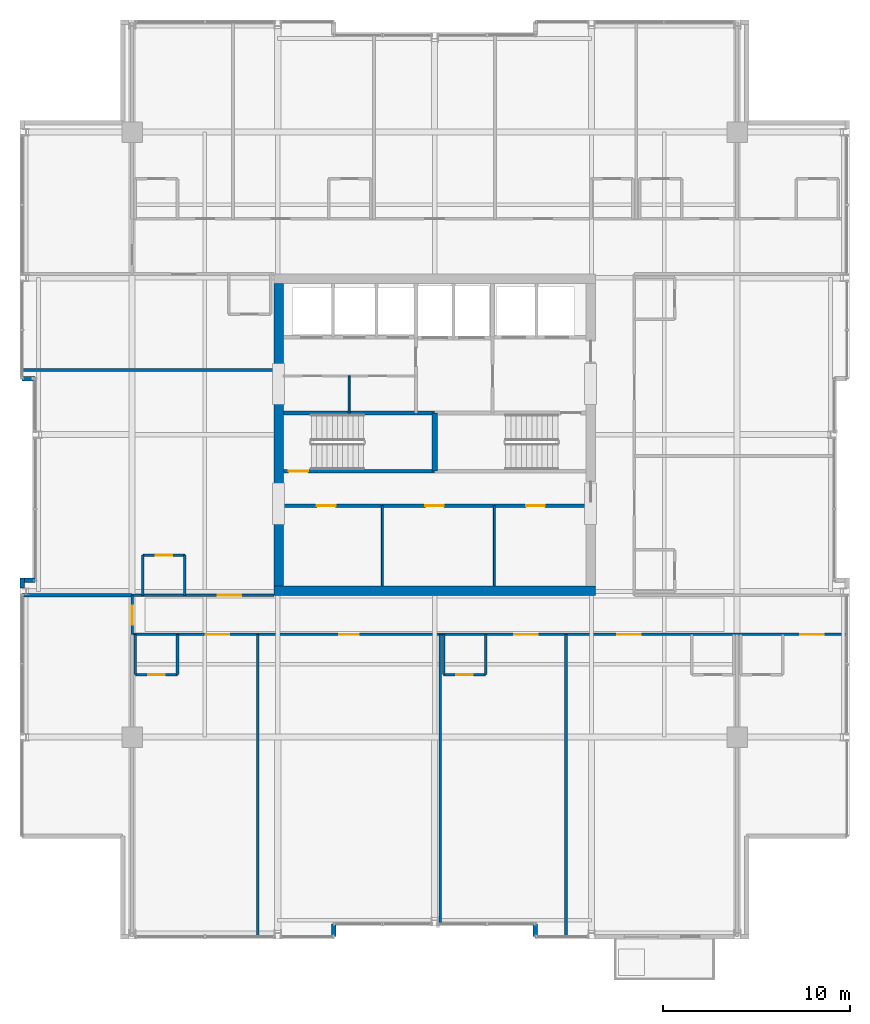
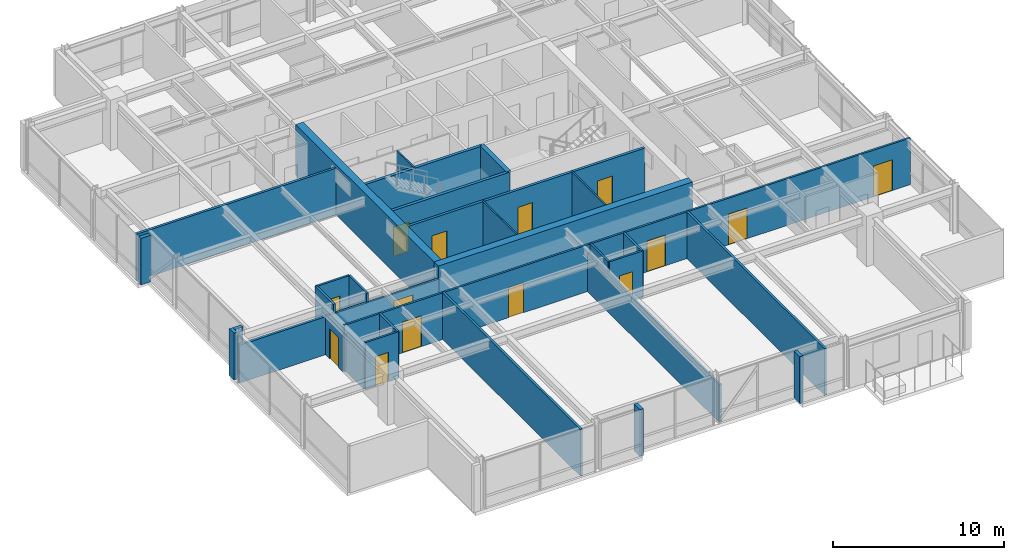
# One storey, part 26 of 32: 31 walls, 14 doors, 14 openings.
"""IFC4 building model written with IfcOpenShell, lengths in metres."""

from ifc_helpers import new_model, si_unit, direction, frame, frame_2d, origin, place, context, subcontext, project, spatial, rectangle, extrude, material, layer, layer_set, type_object, element, fill, save


model = new_model("IFC4")

# Units and contexts
model_context = context("Model", 3, precision=1e-05, world=origin(), true_north=direction((0.0, 1.0)))
body_context = subcontext(model_context, "Body", "Model", "MODEL_VIEW")
ifc_project = project(units=[si_unit("LENGTHUNIT", "METRE"), si_unit("AREAUNIT", "SQUARE_METRE"), si_unit("VOLUMEUNIT", "CUBIC_METRE"), si_unit("PLANEANGLEUNIT", "RADIAN"), si_unit("MASSUNIT", "GRAM", prefix="KILO")], contexts=[model_context])

# Site, building, storey
site_placement = place(None, origin())
site = spatial("IfcSite", under=ifc_project, at=site_placement, CompositionType="ELEMENT")
building_placement = place(site_placement, origin())
building = spatial("IfcBuilding", under=site, at=building_placement, Name="Drelvath Grand Hotel", CompositionType="ELEMENT")
storey_placement = place(building_placement, frame((0.0, 0.0, 241.10009765625)))
storey = spatial("IfcBuildingStorey", under=building, at=storey_placement, Name="L63", CompositionType="ELEMENT", Elevation=241.10009765625)

# Walls
ifc_material_1 = material(Name="Gypsum Partition Board")
ifc_layer_1 = layer(ifc_material_1, 0.10009765625)
ifc_layer_set_1 = layer_set([ifc_layer_1], Name="Gypsum Partition Board")
wall_type_1 = type_object("IfcWallType", Name="Core Closet Partition 100", PredefinedType="PARTITIONING", material=ifc_layer_set_1)
wall_1_placement = place(storey_placement, frame((-4.580078125, 28.159912109375, 0.0), z_axis=(0.0, 0.0, 1.0), x_axis=(0.0, 1.0, 0.0)))
element("IfcWall", 1, at=wall_1_placement, inside=storey, type_object=wall_type_1, Name="L63 Core Closet Split 1", PredefinedType="PARTITIONING", context=body_context, shape_type="SweptSolid", body=[
    extrude(rectangle(XDim=1.97998046875, YDim=0.10009765625, at=frame_2d((0.989990234375, 0.0))), origin(), (0.0, 0.0, 1.0), 3.33984375),
])
for number, where, z_axis, x_axis, name in (
    (2, (-2.800048828125, 18.89990234375, 0.0), (0.0, 0.0, 1.0), (0.0, 1.0, 0.0), "L63 Upper Core Split 1A"),
    (3, (3.199951171875, 18.89990234375, 0.0), (0.0, 0.0, 1.0), (0.0, 1.0, 0.0), "L63 Upper Core Split 1B"),
):
    element("IfcWall", number, at=place(storey_placement, frame(where, z_axis=z_axis, x_axis=x_axis)), inside=storey, type_object=wall_type_1, Name=name, PredefinedType="PARTITIONING", context=body_context, shape_type="SweptSolid", body=[
        extrude(rectangle(XDim=4.300048828125, YDim=0.10009765625, at=frame_2d((2.14990234375, 0.0))), origin(), (0.0, 0.0, 1.0), 3.33984375),
    ])

# Wall, opening, door
ifc_material_2 = material(Name="Concrete C40/50", Category="concrete")
ifc_layer_2 = layer(ifc_material_2, 0.199951171875)
ifc_layer_set_2 = layer_set([ifc_layer_2], Name="Concrete C40/50")
wall_type_2 = type_object("IfcWallType", Name="Core Shaft Fire Wall 200", PredefinedType="SOLIDWALL", material=ifc_layer_set_2)
wall_2_placement = place(storey_placement, frame((-8.10009765625, 25.0400390625, 0.0), z_axis=(0.0, 0.0, 1.0), x_axis=(1.0, 0.0, 0.0)))
wall_2 = element("IfcWall", 4, at=wall_2_placement, inside=storey, type_object=wall_type_2, Name="L63 Stair ST-1 South Wall", PredefinedType="SOLIDWALL", context=body_context, shape_type="SweptSolid", body=[
    extrude(rectangle(XDim=8.10009765625, YDim=0.199951171875, at=frame_2d((4.050048828125, 0.0))), origin(), (0.0, 0.0, 1.0), 3.33984375),
])
opening_1_placement = place(wall_2_placement, frame((0.280029296875, 0.0, 0.0)))
opening_1 = element("IfcOpeningElement", 5, at=opening_1_placement, cuts=wall_2, Name="Opening D-T4G4-001", PredefinedType="OPENING", context=body_context, shape_type="SweptSolid", body=[
    extrude(rectangle(XDim=1.050048828125, YDim=2.10009765625, at=frame_2d((0.52490234375, 1.050048828125))), frame((0.0, 0.10986328125, 0.0), z_axis=(0.0, -1.0, 0.0), x_axis=(1.0, 0.0, 0.0)), (0.0, 0.0, 1.0), 0.219970703125),
])
ifc_material_3 = material(Name="Painted Steel S275", Category="steel")
door_type_1 = type_object("IfcDoorType", Name="Tower Stairwell Fire Door 1050x2100", OperationType="NOTDEFINED", PredefinedType="DOOR", material=ifc_material_3)
door_1_placement = place(opening_1_placement, origin())
door_1 = element("IfcDoor", 6, at=door_1_placement, inside=storey, type_object=door_type_1, Name="L63 Exit Stair ST-1 Door", OperationType="SINGLE_SWING_LEFT", OverallHeight=2.10009765625, OverallWidth=1.050048828125, PredefinedType="DOOR", context=body_context, shape_type="SweptSolid", body=[
    extrude(rectangle(XDim=1.050048828125, YDim=2.10009765625, at=frame_2d((0.52490234375, 1.050048828125))), frame((0.0, 0.02490234375, 0.0), z_axis=(0.0, -1.0, 0.0), x_axis=(1.0, 0.0, 0.0)), (0.0, 0.0, 1.0), 0.050048828125),
])
fill(opening_1, door_1)

# Walls
wall_3_placement = place(storey_placement, frame((-8.10009765625, 28.159912109375, 0.0), z_axis=(0.0, 0.0, 1.0), x_axis=(1.0, 0.0, 0.0)))
element("IfcWall", 7, at=wall_3_placement, inside=storey, type_object=wall_type_2, Name="L63 Stair ST-1 North Wall", PredefinedType="SOLIDWALL", context=body_context, shape_type="SweptSolid", body=[
    extrude(rectangle(XDim=8.10009765625, YDim=0.199951171875, at=frame_2d((4.050048828125, 0.0))), origin(), (0.0, 0.0, 1.0), 3.33984375),
])
ifc_layer_3 = layer(ifc_material_2, 0.300048828125)
ifc_layer_set_3 = layer_set([ifc_layer_3], Name="Concrete C40/50")
wall_type_3 = type_object("IfcWallType", Name="Core Shaft Fire Wall 300", PredefinedType="SOLIDWALL", material=ifc_layer_set_3)
wall_4_placement = place(storey_placement, frame((0.0, 25.0400390625, 0.0), z_axis=(0.0, 0.0, 1.0), x_axis=(0.0, 1.0, 0.0)))
element("IfcWall", 8, at=wall_4_placement, inside=storey, type_object=wall_type_3, Name="L63 Core Stair Divider Wall", PredefinedType="SOLIDWALL", context=body_context, shape_type="SweptSolid", body=[
    extrude(rectangle(XDim=3.119873046875, YDim=0.300048828125, at=frame_2d((1.56005859375, 0.0))), origin(), (0.0, 0.0, 1.0), 3.33984375),
])

# Wall, openings, doors
ifc_material_4 = material(Name="Gypsum Fireboard Partition")
ifc_layer_4 = layer(ifc_material_4, 0.135009765625)
ifc_layer_set_4 = layer_set([ifc_layer_4], Name="Gypsum Fireboard Partition")
wall_type_4 = type_object("IfcWallType", Name="Corridor Fire Barrier Wall 135", PredefinedType="PARTITIONING", material=ifc_layer_set_4)
wall_5_placement = place(storey_placement, frame((-16.199951171875, 16.300048828125, 0.0), z_axis=(0.0, 0.0, 1.0), x_axis=(1.0, 0.0, 0.0)))
wall_5 = element("IfcWall", 9, at=wall_5_placement, inside=storey, type_object=wall_type_4, Name="L63 South Cross-Gallery Wall", PredefinedType="PARTITIONING", context=body_context, shape_type="SweptSolid", body=[
    extrude(rectangle(XDim=38.280029296875, YDim=0.135009765625, at=frame_2d((19.14013671875, 0.0))), origin(), (0.0, 0.0, 1.0), 3.33984375),
])
opening_2_placement = place(wall_5_placement, frame((35.784912109375, 0.0, 0.0)))
opening_2 = element("IfcOpeningElement", 10, at=opening_2_placement, cuts=wall_5, Name="Opening D-T4G4-022", PredefinedType="OPENING", context=body_context, shape_type="SweptSolid", body=[
    extrude(rectangle(XDim=1.260009765625, YDim=2.199951171875, at=frame_2d((0.6298828125, 1.10009765625))), frame((0.0, 0.077392578125, 0.0), z_axis=(0.0, -1.0, 0.0), x_axis=(1.0, 0.0, 0.0)), (0.0, 0.0, 1.0), 0.155029296875),
])
opening_3_placement = place(wall_5_placement, frame((3.947265625, 0.0, 0.0)))
opening_3 = element("IfcOpeningElement", 11, at=opening_3_placement, cuts=wall_5, Name="Opening D-T4G4-026", PredefinedType="OPENING", context=body_context, shape_type="SweptSolid", body=[
    extrude(rectangle(XDim=1.260009765625, YDim=2.199951171875, at=frame_2d((0.6298828125, 1.10009765625))), frame((0.0, 0.077392578125, 0.0), z_axis=(0.0, -1.0, 0.0), x_axis=(1.0, 0.0, 0.0)), (0.0, 0.0, 1.0), 0.155029296875),
])
opening_4_placement = place(wall_5_placement, frame((11.10498046875, 0.0, 0.0)))
opening_4 = element("IfcOpeningElement", 12, at=opening_4_placement, cuts=wall_5, Name="Opening D-T4G4-027", PredefinedType="OPENING", context=body_context, shape_type="SweptSolid", body=[
    extrude(rectangle(XDim=1.02001953125, YDim=2.14990234375, at=frame_2d((0.510009765625, 1.074951171875))), frame((0.0, 0.077392578125, 0.0), z_axis=(0.0, -1.0, 0.0), x_axis=(1.0, 0.0, 0.0)), (0.0, 0.0, 1.0), 0.155029296875),
])
opening_5_placement = place(wall_5_placement, frame((20.452880859375, 0.0, 0.0)))
opening_5 = element("IfcOpeningElement", 13, at=opening_5_placement, cuts=wall_5, Name="Opening D-T4G4-029", PredefinedType="OPENING", context=body_context, shape_type="SweptSolid", body=[
    extrude(rectangle(XDim=1.260009765625, YDim=2.199951171875, at=frame_2d((0.6298828125, 1.10009765625))), frame((0.0, 0.077392578125, 0.0), z_axis=(0.0, -1.0, 0.0), x_axis=(1.0, 0.0, 0.0)), (0.0, 0.0, 1.0), 0.155029296875),
])
opening_6_placement = place(wall_5_placement, frame((25.97021484375, 0.0, 0.0)))
opening_6 = element("IfcOpeningElement", 14, at=opening_6_placement, cuts=wall_5, Name="Opening D-T4G4-031", PredefinedType="OPENING", context=body_context, shape_type="SweptSolid", body=[
    extrude(rectangle(XDim=1.260009765625, YDim=2.199951171875, at=frame_2d((0.6298828125, 1.10009765625))), frame((0.0, 0.077392578125, 0.0), z_axis=(0.0, -1.0, 0.0), x_axis=(1.0, 0.0, 0.0)), (0.0, 0.0, 1.0), 0.155029296875),
])
ifc_material_5 = material(Name="Hardwood Walnut Timber", Category="wood")
door_type_2 = type_object("IfcDoorType", Name="Amenity Meeting Fire Door 1020x2150", OperationType="NOTDEFINED", PredefinedType="DOOR", material=ifc_material_5)
door_2_placement = place(opening_4_placement, origin())
door_2 = element("IfcDoor", 15, at=door_2_placement, inside=storey, type_object=door_type_2, Name="L63 Summit Conference Room Entry Door", OperationType="SINGLE_SWING_RIGHT", OverallHeight=2.14990234375, OverallWidth=1.02001953125, PredefinedType="DOOR", context=body_context, shape_type="SweptSolid", body=[
    extrude(rectangle(XDim=1.02001953125, YDim=2.14990234375, at=frame_2d((0.510009765625, 1.074951171875))), frame((0.0, 0.02490234375, 0.0), z_axis=(0.0, -1.0, 0.0), x_axis=(1.0, 0.0, 0.0)), (0.0, 0.0, 1.0), 0.050048828125),
])
fill(opening_4, door_2)
door_type_3 = type_object("IfcDoorType", Name="Suite Entrance Fire Door 1260x2200", OperationType="NOTDEFINED", PredefinedType="DOOR", material=ifc_material_5)
door_3_placement = place(opening_2_placement, origin())
door_3 = element("IfcDoor", 16, at=door_3_placement, inside=storey, type_object=door_type_3, Name="L63 Diplomatic Suite Entry Door", OperationType="SINGLE_SWING_LEFT", OverallHeight=2.199951171875, OverallWidth=1.260009765625, PredefinedType="DOOR", context=body_context, shape_type="SweptSolid", body=[
    extrude(rectangle(XDim=1.260009765625, YDim=2.199951171875, at=frame_2d((0.6298828125, 1.10009765625))), frame((0.0, 0.02490234375, 0.0), z_axis=(0.0, -1.0, 0.0), x_axis=(1.0, 0.0, 0.0)), (0.0, 0.0, 1.0), 0.050048828125),
])
fill(opening_2, door_3)
door_4_placement = place(opening_3_placement, origin())
door_4 = element("IfcDoor", 17, at=door_4_placement, inside=storey, type_object=door_type_3, Name="L63 Diplomatic Suite Entry Door", OperationType="SINGLE_SWING_LEFT", OverallHeight=2.199951171875, OverallWidth=1.260009765625, PredefinedType="DOOR", context=body_context, shape_type="SweptSolid", body=[
    extrude(rectangle(XDim=1.260009765625, YDim=2.199951171875, at=frame_2d((0.6298828125, 1.10009765625))), frame((0.0, 0.02490234375, 0.0), z_axis=(0.0, -1.0, 0.0), x_axis=(1.0, 0.0, 0.0)), (0.0, 0.0, 1.0), 0.050048828125),
])
fill(opening_3, door_4)
door_5_placement = place(opening_5_placement, origin())
door_5 = element("IfcDoor", 18, at=door_5_placement, inside=storey, type_object=door_type_3, Name="L63 Diplomatic Suite Entry Door", OperationType="SINGLE_SWING_RIGHT", OverallHeight=2.199951171875, OverallWidth=1.260009765625, PredefinedType="DOOR", context=body_context, shape_type="SweptSolid", body=[
    extrude(rectangle(XDim=1.260009765625, YDim=2.199951171875, at=frame_2d((0.6298828125, 1.10009765625))), frame((0.0, 0.02490234375, 0.0), z_axis=(0.0, -1.0, 0.0), x_axis=(1.0, 0.0, 0.0)), (0.0, 0.0, 1.0), 0.050048828125),
])
fill(opening_5, door_5)
door_6_placement = place(opening_6_placement, origin())
door_6 = element("IfcDoor", 19, at=door_6_placement, inside=storey, type_object=door_type_3, Name="L63 Diplomatic Suite Entry Door", OperationType="SINGLE_SWING_RIGHT", OverallHeight=2.199951171875, OverallWidth=1.260009765625, PredefinedType="DOOR", context=body_context, shape_type="SweptSolid", body=[
    extrude(rectangle(XDim=1.260009765625, YDim=2.199951171875, at=frame_2d((0.6298828125, 1.10009765625))), frame((0.0, 0.02490234375, 0.0), z_axis=(0.0, -1.0, 0.0), x_axis=(1.0, 0.0, 0.0)), (0.0, 0.0, 1.0), 0.050048828125),
])
fill(opening_6, door_6)

# Wall, opening, door
wall_6_placement = place(storey_placement, frame((-16.199951171875, 18.39990234375, 0.0), z_axis=(0.0, 0.0, 1.0), x_axis=(1.0, 0.0, 0.0)))
wall_6 = element("IfcWall", 20, at=wall_6_placement, inside=storey, type_object=wall_type_4, Name="L63 South Gallery Inner West Wall", PredefinedType="PARTITIONING", context=body_context, shape_type="SweptSolid", body=[
    extrude(rectangle(XDim=7.599853515625, YDim=0.135009765625, at=frame_2d((3.7998046875, 0.0))), origin(), (0.0, 0.0, 1.0), 2.71728515625),
])
opening_7_placement = place(wall_6_placement, frame((4.5849609375, 0.0, 0.0)))
opening_7 = element("IfcOpeningElement", 21, at=opening_7_placement, cuts=wall_6, Name="Opening D-T4G4-046", PredefinedType="OPENING", context=body_context, shape_type="SweptSolid", body=[
    extrude(rectangle(XDim=1.260009765625, YDim=2.199951171875, at=frame_2d((0.6298828125, 1.10009765625))), frame((0.0, 0.077392578125, 0.0), z_axis=(0.0, -1.0, 0.0), x_axis=(1.0, 0.0, 0.0)), (0.0, 0.0, 1.0), 0.155029296875),
])
door_7_placement = place(opening_7_placement, origin())
door_7 = element("IfcDoor", 22, at=door_7_placement, inside=storey, type_object=door_type_3, Name="L63 Diplomatic Suite Entry Door", OperationType="SINGLE_SWING_LEFT", OverallHeight=2.199951171875, OverallWidth=1.260009765625, PredefinedType="DOOR", context=body_context, shape_type="SweptSolid", body=[
    extrude(rectangle(XDim=1.260009765625, YDim=2.199951171875, at=frame_2d((0.6298828125, 1.10009765625))), frame((0.0, 0.02490234375, 0.0), z_axis=(0.0, -1.0, 0.0), x_axis=(1.0, 0.0, 0.0)), (0.0, 0.0, 1.0), 0.050048828125),
])
fill(opening_7, door_7)

wall_7_placement = place(storey_placement, frame((-16.199951171875, 16.300048828125, 0.0), z_axis=(0.0, 0.0, 1.0), x_axis=(0.0, 1.0, 0.0)))
wall_7 = element("IfcWall", 23, at=wall_7_placement, inside=storey, type_object=wall_type_4, Name="L63 South Gallery West End", PredefinedType="PARTITIONING", context=body_context, shape_type="SweptSolid", body=[
    extrude(rectangle(XDim=2.099853515625, YDim=0.135009765625, at=frame_2d((1.0498046875, 0.0))), origin(), (0.0, 0.0, 1.0), 2.713623046875),
])
opening_8_placement = place(wall_7_placement, frame((0.52001953125, 0.0, 0.0)))
opening_8 = element("IfcOpeningElement", 24, at=opening_8_placement, cuts=wall_7, Name="Opening D-T4G4-019", PredefinedType="OPENING", context=body_context, shape_type="SweptSolid", body=[
    extrude(rectangle(XDim=1.02001953125, YDim=2.14990234375, at=frame_2d((0.510009765625, 1.074951171875))), frame((0.0, 0.077392578125, 0.0), z_axis=(0.0, -1.0, 0.0), x_axis=(1.0, 0.0, 0.0)), (0.0, 0.0, 1.0), 0.155029296875),
])
door_8_placement = place(opening_8_placement, origin())
door_8 = element("IfcDoor", 25, at=door_8_placement, inside=storey, type_object=door_type_2, Name="L63 Corner Panorama Lounge Door", OperationType="SINGLE_SWING_RIGHT", OverallHeight=2.14990234375, OverallWidth=1.02001953125, PredefinedType="DOOR", context=body_context, shape_type="SweptSolid", body=[
    extrude(rectangle(XDim=1.02001953125, YDim=2.14990234375, at=frame_2d((0.510009765625, 1.074951171875))), frame((0.0, 0.02490234375, 0.0), z_axis=(0.0, -1.0, 0.0), x_axis=(1.0, 0.0, 0.0)), (0.0, 0.0, 1.0), 0.050048828125),
])
fill(opening_8, door_8)

# Walls
ifc_material_6 = material(Name="Moisture-Resistant Gypsum Board")
ifc_layer_5 = layer(ifc_material_6, 0.139892578125)
ifc_layer_set_5 = layer_set([ifc_layer_5], Name="Moisture-Resistant Gypsum Board")
wall_type_5 = type_object("IfcWallType", Name="En-Suite Plumbing Wall 140", PredefinedType="PLUMBINGWALL", material=ifc_layer_set_5)
wall_8_placement = place(storey_placement, frame((-16.02001953125, 16.300048828125, 0.0), z_axis=(0.0, 0.0, 1.0), x_axis=(0.0, -1.0, 0.0)))
element("IfcWall", 26, at=wall_8_placement, inside=storey, type_object=wall_type_5, Name="L63 En-Suite Left Wall", PredefinedType="PLUMBINGWALL", context=body_context, shape_type="SweptSolid", body=[
    extrude(rectangle(XDim=2.150146484375, YDim=0.139892578125, at=frame_2d((1.0751953125, 0.0))), origin(), (0.0, 0.0, 1.0), 2.713623046875),
])
wall_9_placement = place(storey_placement, frame((-13.77001953125, 16.300048828125, 0.0), z_axis=(0.0, 0.0, 1.0), x_axis=(0.0, -1.0, 0.0)))
element("IfcWall", 27, at=wall_9_placement, inside=storey, type_object=wall_type_5, Name="L63 En-Suite Right Wall", PredefinedType="PLUMBINGWALL", context=body_context, shape_type="SweptSolid", body=[
    extrude(rectangle(XDim=2.150146484375, YDim=0.139892578125, at=frame_2d((1.0751953125, 0.0))), origin(), (0.0, 0.0, 1.0), 3.33984375),
])

# Wall, opening, door
wall_10_placement = place(storey_placement, frame((-16.02001953125, 14.14990234375, 0.0), z_axis=(0.0, 0.0, 1.0), x_axis=(1.0, 0.0, 0.0)))
wall_10 = element("IfcWall", 28, at=wall_10_placement, inside=storey, type_object=wall_type_5, Name="L63 En-Suite Front Wall", PredefinedType="PLUMBINGWALL", context=body_context, shape_type="SweptSolid", body=[
    extrude(rectangle(XDim=2.25, YDim=0.139892578125, at=frame_2d((1.125, 0.0))), origin(), (0.0, 0.0, 1.0), 3.33984375),
])
opening_9_placement = place(wall_10_placement, frame((0.68505859375, 0.0, 0.0)))
opening_9 = element("IfcOpeningElement", 29, at=opening_9_placement, cuts=wall_10, Name="Opening D-T4G4-025", PredefinedType="OPENING", context=body_context, shape_type="SweptSolid", body=[
    extrude(rectangle(XDim=0.8798828125, YDim=2.10009765625, at=frame_2d((0.43994140625, 1.050048828125))), frame((0.0, 0.079833984375, 0.0), z_axis=(0.0, -1.0, 0.0), x_axis=(1.0, 0.0, 0.0)), (0.0, 0.0, 1.0), 0.159912109375),
])
door_type_4 = type_object("IfcDoorType", Name="En-Suite Bathroom Door 880x2100", OperationType="NOTDEFINED", PredefinedType="DOOR", material=ifc_material_5)
door_9_placement = place(opening_9_placement, origin())
door_9 = element("IfcDoor", 30, at=door_9_placement, inside=storey, type_object=door_type_4, Name="L63 En-Suite Bathroom Door", OperationType="SINGLE_SWING_RIGHT", OverallHeight=2.10009765625, OverallWidth=0.8798828125, PredefinedType="DOOR", context=body_context, shape_type="SweptSolid", body=[
    extrude(rectangle(XDim=0.8798828125, YDim=2.10009765625, at=frame_2d((0.43994140625, 1.050048828125))), frame((0.0, 0.02490234375, 0.0), z_axis=(0.0, -1.0, 0.0), x_axis=(1.0, 0.0, 0.0)), (0.0, 0.0, 1.0), 0.050048828125),
])
fill(opening_9, door_9)

# Walls
for number, where, z_axis, x_axis, name in (
    (31, (0.485595703125, 16.300048828125, 0.0), (0.0, 0.0, 1.0), (0.0, -1.0, 0.0), "L63 En-Suite Left Wall"),
    (32, (2.735595703125, 16.300048828125, 0.0), (0.0, 0.0, 1.0), (0.0, -1.0, 0.0), "L63 En-Suite Right Wall"),
):
    element("IfcWall", number, at=place(storey_placement, frame(where, z_axis=z_axis, x_axis=x_axis)), inside=storey, type_object=wall_type_5, Name=name, PredefinedType="PLUMBINGWALL", context=body_context, shape_type="SweptSolid", body=[
        extrude(rectangle(XDim=2.150146484375, YDim=0.139892578125, at=frame_2d((1.0751953125, 0.0))), origin(), (0.0, 0.0, 1.0), 3.33984375),
    ])

# Wall, opening, door
wall_11_placement = place(storey_placement, frame((0.485595703125, 14.14990234375, 0.0), z_axis=(0.0, 0.0, 1.0), x_axis=(1.0, 0.0, 0.0)))
wall_11 = element("IfcWall", 33, at=wall_11_placement, inside=storey, type_object=wall_type_5, Name="L63 En-Suite Front Wall", PredefinedType="PLUMBINGWALL", context=body_context, shape_type="SweptSolid", body=[
    extrude(rectangle(XDim=2.25, YDim=0.139892578125, at=frame_2d((1.125, 0.0))), origin(), (0.0, 0.0, 1.0), 3.33984375),
])
opening_10_placement = place(wall_11_placement, frame((0.68505859375, 0.0, 0.0)))
opening_10 = element("IfcOpeningElement", 34, at=opening_10_placement, cuts=wall_11, Name="Opening D-T4G4-028", PredefinedType="OPENING", context=body_context, shape_type="SweptSolid", body=[
    extrude(rectangle(XDim=0.8798828125, YDim=2.10009765625, at=frame_2d((0.43994140625, 1.050048828125))), frame((0.0, 0.079833984375, 0.0), z_axis=(0.0, -1.0, 0.0), x_axis=(1.0, 0.0, 0.0)), (0.0, 0.0, 1.0), 0.159912109375),
])
door_10_placement = place(opening_10_placement, origin())
door_10 = element("IfcDoor", 35, at=door_10_placement, inside=storey, type_object=door_type_4, Name="L63 En-Suite Bathroom Door", OperationType="SINGLE_SWING_LEFT", OverallHeight=2.10009765625, OverallWidth=0.8798828125, PredefinedType="DOOR", context=body_context, shape_type="SweptSolid", body=[
    extrude(rectangle(XDim=0.8798828125, YDim=2.10009765625, at=frame_2d((0.43994140625, 1.050048828125))), frame((0.0, 0.02490234375, 0.0), z_axis=(0.0, -1.0, 0.0), x_axis=(1.0, 0.0, 0.0)), (0.0, 0.0, 1.0), 0.050048828125),
])
fill(opening_10, door_10)

# Walls
for number, where, z_axis, x_axis, name in (
    (36, (-15.6201171875, 18.39990234375, 0.0), (0.0, 0.0, 1.0), (0.0, 1.0, 0.0), "L63 En-Suite Left Wall"),
    (37, (-13.3701171875, 18.39990234375, 0.0), (0.0, 0.0, 1.0), (0.0, 1.0, 0.0), "L63 En-Suite Right Wall"),
):
    element("IfcWall", number, at=place(storey_placement, frame(where, z_axis=z_axis, x_axis=x_axis)), inside=storey, type_object=wall_type_5, Name=name, PredefinedType="PLUMBINGWALL", context=body_context, shape_type="SweptSolid", body=[
        extrude(rectangle(XDim=2.150146484375, YDim=0.139892578125, at=frame_2d((1.0751953125, 0.0))), origin(), (0.0, 0.0, 1.0), 3.33984375),
    ])

# Wall, opening, door
wall_12_placement = place(storey_placement, frame((-15.6201171875, 20.550048828125, 0.0), z_axis=(0.0, 0.0, 1.0), x_axis=(1.0, 0.0, 0.0)))
wall_12 = element("IfcWall", 38, at=wall_12_placement, inside=storey, type_object=wall_type_5, Name="L63 En-Suite Front Wall", PredefinedType="PLUMBINGWALL", context=body_context, shape_type="SweptSolid", body=[
    extrude(rectangle(XDim=2.25, YDim=0.139892578125, at=frame_2d((1.125, 0.0))), origin(), (0.0, 0.0, 1.0), 3.33984375),
])
opening_11_placement = place(wall_12_placement, frame((0.68505859375, 0.0, 0.0)))
opening_11 = element("IfcOpeningElement", 39, at=opening_11_placement, cuts=wall_12, Name="Opening D-T4G4-045", PredefinedType="OPENING", context=body_context, shape_type="SweptSolid", body=[
    extrude(rectangle(XDim=0.8798828125, YDim=2.10009765625, at=frame_2d((0.43994140625, 1.050048828125))), frame((0.0, 0.079833984375, 0.0), z_axis=(0.0, -1.0, 0.0), x_axis=(1.0, 0.0, 0.0)), (0.0, 0.0, 1.0), 0.159912109375),
])
door_11_placement = place(opening_11_placement, origin())
door_11 = element("IfcDoor", 40, at=door_11_placement, inside=storey, type_object=door_type_4, Name="L63 En-Suite Bathroom Door", OperationType="SINGLE_SWING_RIGHT", OverallHeight=2.10009765625, OverallWidth=0.8798828125, PredefinedType="DOOR", context=body_context, shape_type="SweptSolid", body=[
    extrude(rectangle(XDim=0.8798828125, YDim=2.10009765625, at=frame_2d((0.43994140625, 1.050048828125))), frame((0.0, 0.02490234375, 0.0), z_axis=(0.0, -1.0, 0.0), x_axis=(1.0, 0.0, 0.0)), (0.0, 0.0, 1.0), 0.050048828125),
])
fill(opening_11, door_11)

# Wall, openings, doors
ifc_layer_6 = layer(ifc_material_4, 0.179931640625)
ifc_layer_set_6 = layer_set([ifc_layer_6], Name="Gypsum Fireboard Partition")
wall_type_6 = type_object("IfcWallType", Name="FSAE Smoke Lobby Fire Wall 180", PredefinedType="SOLIDWALL", material=ifc_layer_set_6)
wall_13_placement = place(storey_placement, frame((-8.10009765625, 23.199951171875, 0.0), z_axis=(0.0, 0.0, 1.0), x_axis=(1.0, 0.0, 0.0)))
wall_13 = element("IfcWall", 41, at=wall_13_placement, inside=storey, type_object=wall_type_6, Name="L63 Upper Reclaimed Core Wall", PredefinedType="SOLIDWALL", context=body_context, shape_type="SweptSolid", body=[
    extrude(rectangle(XDim=16.2001953125, YDim=0.179931640625, at=frame_2d((8.10009765625, 0.0))), origin(), (0.0, 0.0, 1.0), 3.33984375),
])
opening_12_placement = place(wall_13_placement, frame((1.800048828125, 0.0, 0.0)))
opening_12 = element("IfcOpeningElement", 42, at=opening_12_placement, cuts=wall_13, Name="Opening D-T4G4-016", PredefinedType="OPENING", context=body_context, shape_type="SweptSolid", body=[
    extrude(rectangle(XDim=1.0, YDim=2.10009765625, at=frame_2d((0.5, 1.050048828125))), frame((0.0, 0.099853515625, 0.0), z_axis=(0.0, -1.0, 0.0), x_axis=(1.0, 0.0, 0.0)), (0.0, 0.0, 1.0), 0.199951171875),
])
opening_13_placement = place(wall_13_placement, frame((7.60009765625, 0.0, 0.0)))
opening_13 = element("IfcOpeningElement", 43, at=opening_13_placement, cuts=wall_13, Name="Opening D-T4G4-017", PredefinedType="OPENING", context=body_context, shape_type="SweptSolid", body=[
    extrude(rectangle(XDim=1.0, YDim=2.10009765625, at=frame_2d((0.5, 1.050048828125))), frame((0.0, 0.099853515625, 0.0), z_axis=(0.0, -1.0, 0.0), x_axis=(1.0, 0.0, 0.0)), (0.0, 0.0, 1.0), 0.199951171875),
])
opening_14_placement = place(wall_13_placement, frame((13.0, 0.0, 0.0)))
opening_14 = element("IfcOpeningElement", 44, at=opening_14_placement, cuts=wall_13, Name="Opening D-T4G4-018", PredefinedType="OPENING", context=body_context, shape_type="SweptSolid", body=[
    extrude(rectangle(XDim=1.0, YDim=2.10009765625, at=frame_2d((0.5, 1.050048828125))), frame((0.0, 0.099853515625, 0.0), z_axis=(0.0, -1.0, 0.0), x_axis=(1.0, 0.0, 0.0)), (0.0, 0.0, 1.0), 0.199951171875),
])
door_type_5 = type_object("IfcDoorType", Name="Core Service Fire Door 1000x2100", OperationType="NOTDEFINED", PredefinedType="DOOR", material=ifc_material_3)
door_12_placement = place(opening_12_placement, origin())
door_12 = element("IfcDoor", 45, at=door_12_placement, inside=storey, type_object=door_type_5, Name="L63 Housekeeping Door", OperationType="SINGLE_SWING_LEFT", OverallHeight=2.10009765625, OverallWidth=1.0, PredefinedType="DOOR", context=body_context, shape_type="SweptSolid", body=[
    extrude(rectangle(XDim=1.0, YDim=2.10009765625, at=frame_2d((0.5, 1.050048828125))), frame((0.0, 0.02490234375, 0.0), z_axis=(0.0, -1.0, 0.0), x_axis=(1.0, 0.0, 0.0)), (0.0, 0.0, 1.0), 0.050048828125),
])
fill(opening_12, door_12)
door_13_placement = place(opening_13_placement, origin())
door_13 = element("IfcDoor", 46, at=door_13_placement, inside=storey, type_object=door_type_5, Name="L63 Prep Pantry Door", OperationType="SINGLE_SWING_RIGHT", OverallHeight=2.10009765625, OverallWidth=1.0, PredefinedType="DOOR", context=body_context, shape_type="SweptSolid", body=[
    extrude(rectangle(XDim=1.0, YDim=2.10009765625, at=frame_2d((0.5, 1.050048828125))), frame((0.0, 0.02490234375, 0.0), z_axis=(0.0, -1.0, 0.0), x_axis=(1.0, 0.0, 0.0)), (0.0, 0.0, 1.0), 0.050048828125),
])
fill(opening_13, door_13)
door_14_placement = place(opening_14_placement, origin())
door_14 = element("IfcDoor", 47, at=door_14_placement, inside=storey, type_object=door_type_5, Name="L63 AV Room Door", OperationType="SINGLE_SWING_LEFT", OverallHeight=2.10009765625, OverallWidth=1.0, PredefinedType="DOOR", context=body_context, shape_type="SweptSolid", body=[
    extrude(rectangle(XDim=1.0, YDim=2.10009765625, at=frame_2d((0.5, 1.050048828125))), frame((0.0, 0.02490234375, 0.0), z_axis=(0.0, -1.0, 0.0), x_axis=(1.0, 0.0, 0.0)), (0.0, 0.0, 1.0), 0.050048828125),
])
fill(opening_14, door_14)

# Walls
ifc_material_7 = material(Name="Gypsum Acoustic Partition")
ifc_layer_7 = layer(ifc_material_7, 0.14990234375)
ifc_layer_set_7 = layer_set([ifc_layer_7], Name="Gypsum Acoustic Partition")
wall_type_7 = type_object("IfcWallType", Name="Guestroom Demising Wall 150", PredefinedType="PARTITIONING", material=ifc_layer_set_7)
wall_14_placement = place(storey_placement, frame((-9.4755859375, 0.1201171875, 0.0), z_axis=(0.0, 0.0, 1.0), x_axis=(0.0, 1.0, 0.0)))
element("IfcWall", 48, at=wall_14_placement, inside=storey, type_object=wall_type_7, Name="L63 South Demising 1", PredefinedType="PARTITIONING", context=body_context, shape_type="SweptSolid", body=[
    extrude(rectangle(XDim=16.179931640625, YDim=0.14990234375, at=frame_2d((8.08984375, 0.0))), origin(), (0.0, 0.0, 1.0), 3.33984375),
])
wall_15_placement = place(storey_placement, frame((0.3056640625, 0.800048828125, 0.0), z_axis=(0.0, 0.0, 1.0), x_axis=(0.0, 1.0, 0.0)))
element("IfcWall", 49, at=wall_15_placement, inside=storey, type_object=wall_type_7, Name="L63 South Demising 2", PredefinedType="PARTITIONING", context=body_context, shape_type="SweptSolid", body=[
    extrude(rectangle(XDim=15.5, YDim=0.14990234375, at=frame_2d((7.75, 0.0))), origin(), (0.0, 0.0, 1.0), 2.713623046875),
])
wall_16_placement = place(storey_placement, frame((7.0302734375, 0.1201171875, 0.0), z_axis=(0.0, 0.0, 1.0), x_axis=(0.0, 1.0, 0.0)))
element("IfcWall", 50, at=wall_16_placement, inside=storey, type_object=wall_type_7, Name="L63 South Demising 3", PredefinedType="PARTITIONING", context=body_context, shape_type="SweptSolid", body=[
    extrude(rectangle(XDim=16.179931640625, YDim=0.14990234375, at=frame_2d((8.08984375, 0.0))), origin(), (0.0, 0.0, 1.0), 3.33984375),
])
ifc_layer_8 = layer(ifc_material_7, 0.1650390625)
ifc_layer_set_8 = layer_set([ifc_layer_8], Name="Gypsum Acoustic Partition")
wall_type_8 = type_object("IfcWallType", Name="Suite Demising Wall 165", PredefinedType="PARTITIONING", material=ifc_layer_set_8)
wall_17_placement = place(storey_placement, frame((-22.080078125, 18.39990234375, 0.0), z_axis=(0.0, 0.0, 1.0), x_axis=(1.0, 0.0, 0.0)))
element("IfcWall", 51, at=wall_17_placement, inside=storey, type_object=wall_type_8, Name="L63 SW Corner North Wall", PredefinedType="PARTITIONING", context=body_context, shape_type="SweptSolid", body=[
    extrude(rectangle(XDim=5.880126953125, YDim=0.1650390625, at=frame_2d((2.93994140625, 0.0))), origin(), (0.0, 0.0, 1.0), 2.713623046875),
])
wall_18_placement = place(storey_placement, frame((-22.080078125, 30.449951171875, 0.0), z_axis=(0.0, 0.0, 1.0), x_axis=(1.0, 0.0, 0.0)))
element("IfcWall", 52, at=wall_18_placement, inside=storey, type_object=wall_type_8, Name="L63 West Grand Suite Split Wall", PredefinedType="PARTITIONING", context=body_context, shape_type="SweptSolid", body=[
    extrude(rectangle(XDim=13.47998046875, YDim=0.1650390625, at=frame_2d((6.739990234375, 0.0))), origin(), (0.0, 0.0, 1.0), 3.33984375),
])
ifc_material_8 = material(Name="Pale-Metal Insulated Aluminium Spandrel Assembly", Category="aluminium")
ifc_layer_9 = layer(ifc_material_8, 0.239990234375)
ifc_layer_set_9 = layer_set([ifc_layer_9], Name="Pale-Metal Insulated Aluminium Spandrel Assembly")
wall_type_9 = type_object("IfcWallType", Name="Tower Insulated Metal Spandrel Closure Wall 240", PredefinedType="STANDARD", material=ifc_layer_set_9)
wall_19_placement = place(storey_placement, frame((-22.080078125, 18.7783203125, 0.0), z_axis=(0.0, 0.0, 1.0), x_axis=(0.0, 1.0, 0.0)))
element("IfcWall", 53, at=wall_19_placement, inside=storey, type_object=wall_type_9, Name="L63 Corner Pier Spandrel Wall WS3", PredefinedType="STANDARD", context=body_context, shape_type="SweptSolid", body=[
    extrude(rectangle(XDim=0.541748046875, YDim=0.239990234375, at=frame_2d((0.27099609375, 0.0))), origin(), (0.0, 0.0, 1.0), 3.33984375),
])
wall_20_placement = place(storey_placement, frame((-21.9599609375, 19.199951171875, 0.0), z_axis=(0.0, 0.0, 1.0), x_axis=(1.0, 0.0, 0.0)))
element("IfcWall", 54, at=wall_20_placement, inside=storey, type_object=wall_type_9, Name="L63 Notched Corner Return Spandrel Wall RW1", PredefinedType="STANDARD", context=body_context, shape_type="SweptSolid", body=[
    extrude(rectangle(XDim=0.56005859375, YDim=0.239990234375, at=frame_2d((0.280029296875, 0.0))), origin(), (0.0, 0.0, 1.0), 3.33984375),
])
wall_21_placement = place(storey_placement, frame((-21.39990234375, 30.0, 0.0), z_axis=(0.0, 0.0, 1.0), x_axis=(-1.0, 0.0, 0.0)))
element("IfcWall", 55, at=wall_21_placement, inside=storey, type_object=wall_type_9, Name="L63 Notched Corner Return Spandrel Wall RW2", PredefinedType="STANDARD", context=body_context, shape_type="SweptSolid", body=[
    extrude(rectangle(XDim=0.68017578125, YDim=0.239990234375, at=frame_2d((0.340087890625, 0.0))), origin(), (0.0, 0.0, 1.0), 3.33984375),
])
for number, where, z_axis, x_axis, name in (
    (56, (5.39990234375, 0.1201171875, 0.0), (0.0, 0.0, 1.0), (0.0, 1.0, 0.0), "L63 Notched Corner Return Spandrel Wall RS1"),
    (57, (-5.39990234375, 0.800048828125, 0.0), (0.0, 0.0, 1.0), (0.0, -1.0, 0.0), "L63 Notched Corner Return Spandrel Wall RS2"),
):
    element("IfcWall", number, at=place(storey_placement, frame(where, z_axis=z_axis, x_axis=x_axis)), inside=storey, type_object=wall_type_9, Name=name, PredefinedType="STANDARD", context=body_context, shape_type="SweptSolid", body=[
        extrude(rectangle(XDim=0.679931640625, YDim=0.239990234375, at=frame_2d((0.33984375, 0.0))), origin(), (0.0, 0.0, 1.0), 3.33984375),
    ])
ifc_material_9 = material(Name="Concrete f'c 55 MPa", Category="concrete")
ifc_layer_10 = layer(ifc_material_9, 0.5)
ifc_layer_set_10 = layer_set([ifc_layer_10], Name="Concrete f'c 55 MPa")
wall_type_10 = type_object("IfcWallType", Name="Upper Core RC Shear Wall 500", PredefinedType="SHEAR", material=ifc_layer_set_10)
wall_22_placement = place(storey_placement, frame((8.60009765625, 18.64990234375, 0.0), z_axis=(0.0, 0.0, 1.0), x_axis=(-1.0, 0.0, 0.0)))
element("IfcWall", 58, at=wall_22_placement, inside=storey, type_object=wall_type_10, Name="L63 Central Core Shear Wall S", PredefinedType="SHEAR", context=body_context, shape_type="SweptSolid", body=[
    extrude(rectangle(XDim=17.2001953125, YDim=0.5, at=frame_2d((8.60009765625, 0.0))), origin(), (0.0, 0.0, 1.0), 3.599853515625),
])
wall_23_placement = place(storey_placement, frame((-8.35009765625, 18.89990234375, 0.0), z_axis=(0.0, 0.0, 1.0), x_axis=(0.0, 1.0, 0.0)))
element("IfcWall", 59, at=wall_23_placement, inside=storey, type_object=wall_type_10, Name="L63 Central Core Shear Wall W", PredefinedType="SHEAR", context=body_context, shape_type="SweptSolid", body=[
    extrude(rectangle(XDim=16.2001953125, YDim=0.5, at=frame_2d((8.10009765625, 0.0))), origin(), (0.0, 0.0, 1.0), 3.599853515625),
])

save(model, "model.ifc")
